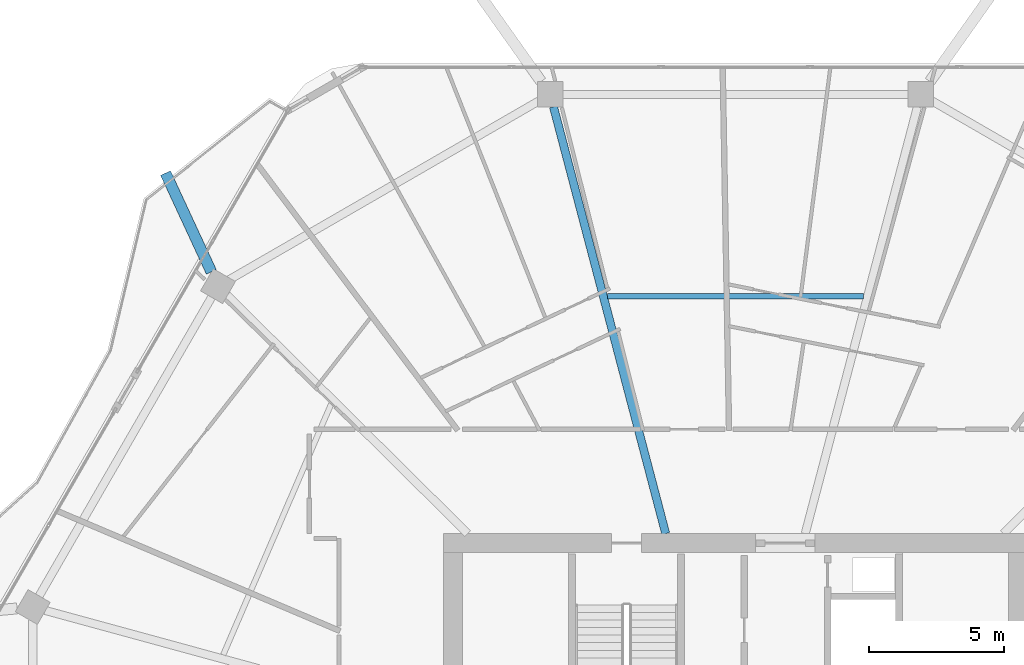
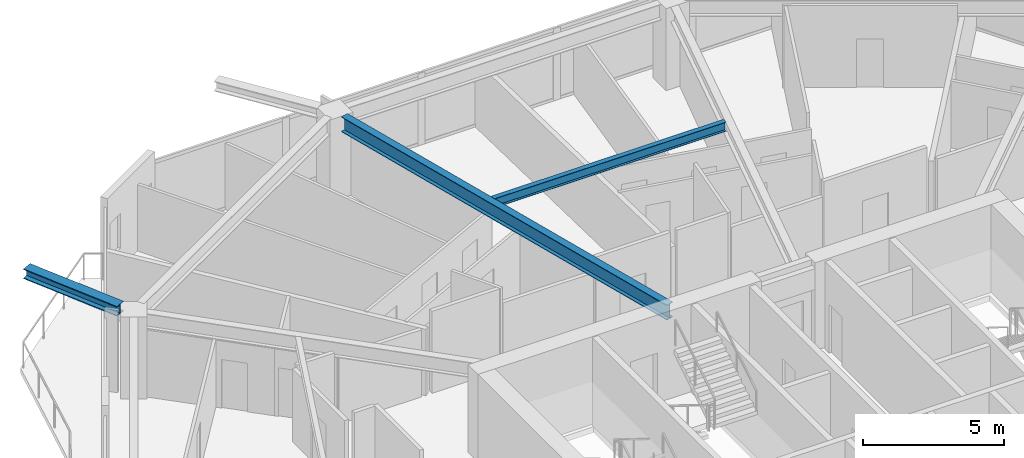
# One storey, part 12 of 27: 3 beams.
"""IFC4 building model written with IfcOpenShell, lengths in metres."""

import ifcopenshell
import ifcopenshell.guid

model = None  # the IFC model being written
_history = None  # IfcOwnerHistory: only IFC2X3 demands one
_inside = {}  # id of a spatial element -> (the spatial element, [elements in it])
_under = {}  # id of a project, library or spatial element -> (it, [spatial elements below it])
_declared = {}  # id of a project -> (the project, [libraries it declares])
_typed = {}  # id of a type object -> (the type object, [elements of that type])
_made_of = {}  # id of a material, layer set ... -> (it, [elements and type objects made of it])


def new_model(schema):
    """Start an empty IFC model of exactly this schema.

    Asked for "IFC4X3", IfcOpenShell would pick the latest addendum, in which some entities
    have other attributes; the version numbers below select the first issue.
    IFC2X3 requires an IfcOwnerHistory on every rooted entity: one is made here for all.
    """
    global model, _history
    if schema == "IFC4X3":
        model = ifcopenshell.file(schema_version=(4, 3, 0, 0))
    else:
        model = ifcopenshell.file(schema=schema)
    _inside.clear()
    _under.clear()
    _declared.clear()
    _typed.clear()
    _made_of.clear()
    _history = None
    if model.schema == "IFC2X3":
        org = make("IfcOrganization", Name="unknown")
        user = make(
            "IfcPersonAndOrganization",
            ThePerson=make("IfcPerson", FamilyName="unknown"),
            TheOrganization=org,
        )
        app = make(
            "IfcApplication",
            ApplicationDeveloper=org,
            Version="unknown",
            ApplicationFullName="unknown",
            ApplicationIdentifier="unknown",
        )
        _history = make(
            "IfcOwnerHistory",
            OwningUser=user,
            OwningApplication=app,
            ChangeAction="ADDED",
            CreationDate=0,
        )
    return model


def make(cls, **values):
    """One entity of the class cls with the attributes given. An attribute that is None is left unset."""
    return model.create_entity(
        cls, **{name: value for name, value in values.items() if value is not None}
    )


def rooted(cls, **values):
    """An entity with a GlobalId (a new one), such as an element, a storey or a relation."""
    return make(cls, GlobalId=ifcopenshell.guid.new(), OwnerHistory=_history, **values)


def si_unit(unit_type, name, prefix=None):
    """IfcSIUnit, for example si_unit("LENGTHUNIT", "METRE", prefix="MILLI")."""
    return make("IfcSIUnit", UnitType=unit_type, Prefix=prefix, Name=name)


def assignment(units):
    """IfcUnitAssignment: the units of a project."""
    return None if units is None else make("IfcUnitAssignment", Units=units)


def point(xyz):
    """IfcCartesianPoint."""
    return None if xyz is None else make("IfcCartesianPoint", Coordinates=xyz)


def direction(xyz):
    """IfcDirection."""
    return None if xyz is None else make("IfcDirection", DirectionRatios=xyz)


def frame(location, z_axis=None, x_axis=None):
    """IfcAxis2Placement3D, a coordinate frame: its origin and axes. An axis left out is left unset."""
    return make(
        "IfcAxis2Placement3D",
        Location=point(location),
        Axis=direction(z_axis),
        RefDirection=direction(x_axis),
    )


def frame_2d(location, x_axis=None):
    """IfcAxis2Placement2D, a coordinate frame in the plane: its origin and x axis."""
    return make(
        "IfcAxis2Placement2D", Location=point(location), RefDirection=direction(x_axis)
    )


def origin():
    """The frame at (0, 0, 0) with its axes left unset."""
    return frame((0.0, 0.0, 0.0))


def origin_2d():
    """The frame at (0, 0) in the plane with its x axis left unset."""
    return frame_2d((0.0, 0.0))


def place(relative_to, where):
    """IfcLocalPlacement: puts the frame where relative to a parent placement (None: the world)."""
    return make(
        "IfcLocalPlacement", PlacementRelTo=relative_to, RelativePlacement=where
    )


def context(
    kind, dimensions, precision=None, world=None, true_north=None, identifier=None
):
    """IfcGeometricRepresentationContext, for example the 3D "Model" context."""
    return make(
        "IfcGeometricRepresentationContext",
        ContextIdentifier=identifier,
        ContextType=kind,
        CoordinateSpaceDimension=dimensions,
        Precision=precision,
        WorldCoordinateSystem=world,
        TrueNorth=true_north,
    )


def subcontext(parent, identifier, kind, view, scale=None):
    """IfcGeometricRepresentationSubContext, for example "Body" below "Model"."""
    return make(
        "IfcGeometricRepresentationSubContext",
        ContextIdentifier=identifier,
        ContextType=kind,
        ParentContext=parent,
        TargetScale=scale,
        TargetView=view,
    )


def project(units=None, contexts=None):
    """IfcProject with its units and contexts."""
    return rooted(
        "IfcProject",
        Name="project",
        RepresentationContexts=contexts,
        UnitsInContext=assignment(units),
    )


def spatial(cls, under=None, at=None, **own):
    """A site, building, storey or space (cls), placed at a placement, below another one or the project."""
    s = rooted(cls, ObjectPlacement=at, **own)
    if under is not None:
        _under.setdefault(under.id(), (under, []))[1].append(s)
    return s


def profile(cls, at=None, kind="AREA", **sizes):
    """A parametric profile (cls). Its sizes go by their IFC names, for example OverallWidth=200.0."""
    return make(cls, ProfileType=kind, Position=at, **sizes)


def i_section(**sizes):
    """IfcIShapeProfileDef."""
    return profile("IfcIShapeProfileDef", **sizes)


def extrude(swept, where, along, depth):
    """IfcExtrudedAreaSolid: the profile swept, set in the frame where, extruded along a direction by depth."""
    return make(
        "IfcExtrudedAreaSolid",
        SweptArea=swept,
        Position=where,
        ExtrudedDirection=direction(along),
        Depth=depth,
    )


def shape(context_of_items, identifier, shape_type, items):
    """IfcShapeRepresentation: the items that make up one representation, for example the "Body"."""
    return make(
        "IfcShapeRepresentation",
        ContextOfItems=context_of_items,
        RepresentationIdentifier=identifier,
        RepresentationType=shape_type,
        Items=items,
    )


def material(Name=None, Category=None):
    """IfcMaterial."""
    return make("IfcMaterial", Name=Name, Category=Category)


def material_profile(
    of_material, cross_section, Name=None, Category=None, Priority=None
):
    """IfcMaterialProfile: a cross section and its material."""
    return make(
        "IfcMaterialProfile",
        Name=Name,
        Material=of_material,
        Profile=cross_section,
        Priority=Priority,
        Category=Category,
    )


def profile_set(profiles, Name=None, composite=None):
    """IfcMaterialProfileSet."""
    return make(
        "IfcMaterialProfileSet",
        Name=Name,
        MaterialProfiles=profiles,
        CompositeProfile=composite,
    )


def made_of(thing, what):
    """Note that an element or type object is made of a material, layer set ...; save() writes the relation."""
    if what is not None:
        _made_of.setdefault(what.id(), (what, []))[1].append(thing)
    return thing


def type_object(cls, material=None, **own):
    """A type object (cls), such as IfcWallType, which elements share."""
    return made_of(rooted(cls, **own), material)


def element(
    cls,
    number,
    at=None,
    inside=None,
    cuts=None,
    type_object=None,
    material=None,
    context=None,
    identifier="Body",
    shape_type=None,
    held_by="IfcProductDefinitionShape",
    body=None,
    shapes=None,
    **own,
):
    """One element of the class cls, such as IfcWall. Its Tag is "e" and its number.

    at: its placement. inside: the storey or other place that contains it. cuts: it is an
    opening in that element (IfcRelVoidsElement). A single representation is given by context,
    identifier, shape_type and body (its items); several are given by shapes. held_by: the class
    of the entity that holds the representations. save() writes the other relations.
    """
    e = rooted(cls, Tag="e%d" % number, ObjectPlacement=at, **own)
    if body is not None:
        shapes = [shape(context, identifier, shape_type, body)]
    if shapes is not None:
        e.Representation = make(held_by, Representations=shapes)
    if inside is not None:
        _inside.setdefault(inside.id(), (inside, []))[1].append(e)
    if cuts is not None:
        rooted(
            "IfcRelVoidsElement", RelatingBuildingElement=cuts, RelatedOpeningElement=e
        )
    if type_object is not None:
        _typed.setdefault(type_object.id(), (type_object, []))[1].append(e)
    return made_of(e, material)


def aggregate(whole, parts):
    """IfcRelAggregates: a whole, such as a stair, and the parts it consists of."""
    return rooted("IfcRelAggregates", RelatingObject=whole, RelatedObjects=parts)


def save(model, path):
    """Write the relations noted so far, then the file.

    IfcRelAggregates (storeys below a building ...), IfcRelContainedInSpatialStructure (elements
    in a storey), IfcRelDefinesByType, IfcRelAssociatesMaterial and IfcRelDeclares: one each for
    every whole, place, type object, material and project.
    """
    for whole, parts in _under.values():
        aggregate(whole, parts)
    for where, things in _inside.values():
        rooted(
            "IfcRelContainedInSpatialStructure",
            RelatedElements=things,
            RelatingStructure=where,
        )
    for kind, things in _typed.values():
        rooted("IfcRelDefinesByType", RelatedObjects=things, RelatingType=kind)
    for what, things in _made_of.values():
        rooted("IfcRelAssociatesMaterial", RelatedObjects=things, RelatingMaterial=what)
    for by, libraries in _declared.values():
        rooted("IfcRelDeclares", RelatingContext=by, RelatedDefinitions=libraries)
    model.write(path)


model = new_model("IFC4")

# Units and contexts
model_context = context("Model", 3, precision=1e-05, world=origin(), true_north=direction((0.0, 1.0)))
body_context = subcontext(model_context, "Body", "Model", "MODEL_VIEW")
ifc_project = project(units=[si_unit("LENGTHUNIT", "METRE"), si_unit("AREAUNIT", "SQUARE_METRE"), si_unit("VOLUMEUNIT", "CUBIC_METRE"), si_unit("PLANEANGLEUNIT", "RADIAN"), si_unit("MASSUNIT", "GRAM", prefix="KILO")], contexts=[model_context])

# Site, building, storey
site_placement = place(None, origin())
site = spatial("IfcSite", under=ifc_project, at=site_placement, CompositionType="ELEMENT")
building_placement = place(site_placement, origin())
building = spatial("IfcBuilding", under=site, at=building_placement, Name="Zuhravey Tower", CompositionType="ELEMENT")
storey_placement = place(building_placement, frame((0.0, 0.0, 188.39990234375)))
storey = spatial("IfcBuildingStorey", under=building, at=storey_placement, Name="L47", CompositionType="ELEMENT", Elevation=188.39990234375)

# Beams
ifc_material_1 = material(Name="Steel SM460", Category="steel")
ifc_material_profile_1 = material_profile(ifc_material_1, i_section(OverallWidth=0.406982421875, OverallDepth=0.427978515625, WebThickness=0.02001953125, FlangeThickness=0.034912109375, at=origin_2d()), Name="H-428x407x20x35")
ifc_profile_set_1 = profile_set([ifc_material_profile_1], Name="Steel SM460")
beam_type_1 = type_object("IfcBeamType", Name="Exoskeleton Node Tie Beam H428x407", PredefinedType="BEAM", material=ifc_profile_set_1)
beam_1_placement = place(storey_placement, frame((16.528564453125, 51.5771484375, 3.336181640625), z_axis=(-0.42068755382, 0.907205589743, 0.0), x_axis=(-0.907205589743, -0.42068755382, 0.0)))
element("IfcBeam", 1, at=beam_1_placement, inside=storey, type_object=beam_type_1, Name="L47 Exoskeleton Node Tie NT1-05", PredefinedType="BEAM", context=body_context, shape_type="SweptSolid", body=[
    extrude(i_section(OverallWidth=0.406982421875, OverallDepth=0.427978515625, WebThickness=0.02001953125, FlangeThickness=0.034912109375, at=origin_2d()), origin(), (0.0, 0.0, 1.0), 4.046142578125),
])
ifc_material_2 = material(Name="Steel SM355", Category="steel")
ifc_material_profile_2 = material_profile(ifc_material_2, i_section(OverallWidth=0.300048828125, OverallDepth=0.64990234375, WebThickness=0.012939453125, FlangeThickness=0.02197265625, at=origin_2d()), Name="H-650x300x13x22")
ifc_profile_set_2 = profile_set([ifc_material_profile_2], Name="Steel SM355")
beam_type_2 = type_object("IfcBeamType", Name="Radial Primary Girder H650x300", PredefinedType="BEAM", material=ifc_profile_set_2)
beam_2_placement = place(storey_placement, frame((33.4091796875, 41.85302734375, 3.22509765625), z_axis=(-0.254299806285, 0.967125435775, 0.0), x_axis=(-0.967125435775, -0.254299806285, 0.0)))
element("IfcBeam", 2, at=beam_2_placement, inside=storey, type_object=beam_type_2, Name="L47 RG2 BM-L47-RAD-04", PredefinedType="BEAM", context=body_context, shape_type="SweptSolid", body=[
    extrude(i_section(OverallWidth=0.300048828125, OverallDepth=0.64990234375, WebThickness=0.012939453125, FlangeThickness=0.02197265625, at=origin_2d()), origin(), (0.0, 0.0, 1.0), 16.396728515625),
])
ifc_material_profile_3 = material_profile(ifc_material_2, i_section(OverallWidth=0.199951171875, OverallDepth=0.39990234375, WebThickness=0.008056640625, FlangeThickness=0.012939453125, at=origin_2d()), Name="H-400x200x8x13")
ifc_profile_set_3 = profile_set([ifc_material_profile_3], Name="Steel SM355")
beam_type_3 = type_object("IfcBeamType", Name="Secondary Floor Joist H400x200", PredefinedType="JOIST", material=ifc_profile_set_3)
beam_3_placement = place(storey_placement, frame((40.754150390625, 50.665771484375, 3.35009765625), z_axis=(-1.0, 0.0, 0.0), x_axis=(0.0, -1.0, 0.0)))
element("IfcBeam", 3, at=beam_3_placement, inside=storey, type_object=beam_type_3, Name="L47 SJ2 BM-L47-SJ-03-1", PredefinedType="JOIST", context=body_context, shape_type="SweptSolid", body=[
    extrude(i_section(OverallWidth=0.199951171875, OverallDepth=0.39990234375, WebThickness=0.008056640625, FlangeThickness=0.012939453125, at=origin_2d()), origin(), (0.0, 0.0, 1.0), 9.50830078125),
])

save(model, "model.ifc")
